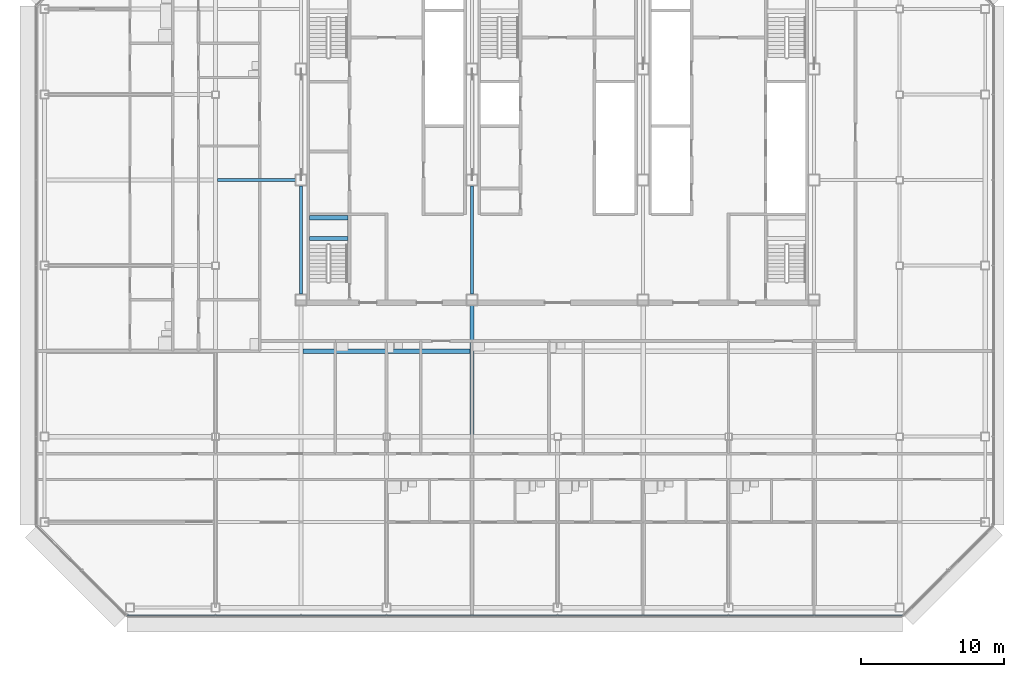
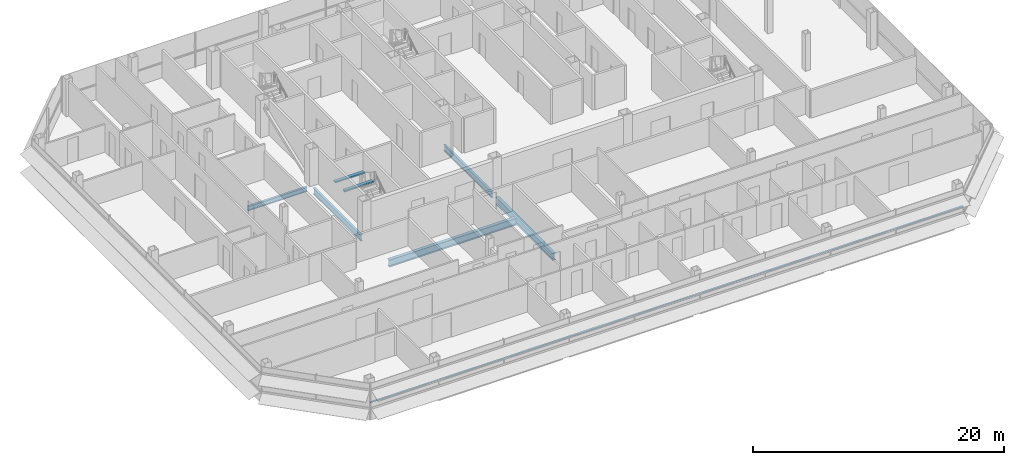
# One storey, part 8 of 28: 7 beams, 1 member, 1 element without a shape of its own.
"""IFC4 building model written with IfcOpenShell, lengths in metres."""

from ifc_helpers import new_model, si_unit, direction, frame, origin, origin_2d, place, context, subcontext, project, spatial, rectangle, i_section, extrude, material, material_profile, profile_set, type_object, element, aggregate, save


model = new_model("IFC4")

# Units and contexts
model_context = context("Model", 3, precision=1e-05, world=origin(), true_north=direction((0.0, 1.0)))
body_context = subcontext(model_context, "Body", "Model", "MODEL_VIEW")
ifc_project = project(units=[si_unit("LENGTHUNIT", "METRE"), si_unit("AREAUNIT", "SQUARE_METRE"), si_unit("VOLUMEUNIT", "CUBIC_METRE"), si_unit("PLANEANGLEUNIT", "RADIAN"), si_unit("MASSUNIT", "GRAM", prefix="KILO")], contexts=[model_context])

# Site, building, storey
site_placement = place(None, origin())
site = spatial("IfcSite", under=ifc_project, at=site_placement, CompositionType="ELEMENT")
building_placement = place(site_placement, origin())
building = spatial("IfcBuilding", under=site, at=building_placement, Name="Sorahane Residences", CompositionType="ELEMENT")
storey_placement = place(building_placement, frame((0.0, 0.0, 254.0)))
storey = spatial("IfcBuildingStorey", under=building, at=storey_placement, Name="L60", CompositionType="ELEMENT", Elevation=254.0)

# Curtain wall, member
ifc_material_1 = material(Name="Dark low-e glass and black anodised aluminium", Category="aluminium")
curtain_wall_type = type_object("IfcCurtainWallType", Name="Curtain wall CW-1 Typical unitised wall", PredefinedType="NOTDEFINED", material=ifc_material_1)
curtain_wall_placement = place(storey_placement, origin())
curtain_wall = element("IfcCurtainWall", 1, at=curtain_wall_placement, inside=storey, type_object=curtain_wall_type, Name="CW-1 curtain wall L60 S1", PredefinedType="NOTDEFINED")
ifc_material_2 = material(Name="Black anodised aluminium", Category="aluminium")
ifc_material_profile_1 = material_profile(ifc_material_2, rectangle(XDim=0.10009765625, YDim=0.06005859375, at=origin_2d()), Name="Curtain wall transom CW-1 black anodised aluminium 60x100")
ifc_profile_set_1 = profile_set([ifc_material_profile_1], Name="Black anodised aluminium")
member_type = type_object("IfcMemberType", Name="Curtain wall transom CW-1 black anodised aluminium 60x100", PredefinedType="USERDEFINED", material=ifc_profile_set_1)
member_placement = place(storey_placement, frame((-6.198486328125, -0.530029296875, 1.5), z_axis=(1.0, 0.0, 0.0), x_axis=(0.0, 1.0, 0.0)))
member = element("IfcMember", 2, at=member_placement, type_object=member_type, Name="CW-1 transom L60 S1", ObjectType="TRANSOM", PredefinedType="USERDEFINED", context=body_context, shape_type="SweptSolid", body=[
    extrude(rectangle(XDim=0.10009765625, YDim=0.06005859375, at=origin_2d()), origin(), (0.0, 0.0, 1.0), 54.39697265625),
])
aggregate(curtain_wall, [member])

# Beams
ifc_material_3 = material(Name="Concrete C40", Category="concrete")
ifc_material_profile_2 = material_profile(ifc_material_3, rectangle(XDim=0.300048828125, YDim=0.139892578125, at=origin_2d()), Name="300x140")
ifc_profile_set_2 = profile_set([ifc_material_profile_2], Name="Concrete C40")
beam_type_1 = type_object("IfcBeamType", Name="RC landing beam 300 x 140 Concrete C40", PredefinedType="BEAM", material=ifc_profile_set_2)
for number, where, z_axis, x_axis, name in (
    (3, (6.60009765625, 25.89990234375, 1.530029296875), (1.0, 0.0, 0.0), (0.0, 1.0, 0.0), "Landing beam"),
    (4, (6.60009765625, 27.35009765625, 1.530029296875), (1.0, 0.0, 0.0), (0.0, 1.0, 0.0), "Landing beam"),
):
    element("IfcBeam", number, at=place(storey_placement, frame(where, z_axis=z_axis, x_axis=x_axis)), inside=storey, type_object=beam_type_1, Name=name, PredefinedType="BEAM", context=body_context, shape_type="SweptSolid", body=[
        extrude(rectangle(XDim=0.300048828125, YDim=0.139892578125, at=origin_2d()), origin(), (0.0, 0.0, 1.0), 2.699951171875),
    ])
ifc_material_4 = material(Name="Steel Q355B", Category="steel")
ifc_material_profile_3 = material_profile(ifc_material_4, i_section(OverallWidth=0.199951171875, OverallDepth=0.449951171875, WebThickness=0.009033203125, FlangeThickness=0.013916015625, FilletRadius=0.02001953125, at=origin_2d()), Name="HN 450x200x9x14")
ifc_profile_set_3 = profile_set([ifc_material_profile_3], Name="Steel Q355B")
beam_type_2 = type_object("IfcBeamType", Name="Steel floor beam HN 450x200x9x14 Q355B", PredefinedType="BEAM", material=ifc_profile_set_3)
beam_1_placement = place(storey_placement, frame((0.14990234375, 30.0, -0.405029296875), z_axis=(1.0, 0.0, 0.0), x_axis=(0.0, 1.0, 0.0)))
element("IfcBeam", 5, at=beam_1_placement, inside=storey, type_object=beam_type_2, Name="Beam L60 086", PredefinedType="BEAM", context=body_context, shape_type="SweptSolid", body=[
    extrude(i_section(OverallWidth=0.199951171875, OverallDepth=0.449951171875, WebThickness=0.009033203125, FlangeThickness=0.013916015625, FilletRadius=0.02001953125, at=origin_2d()), origin(), (0.0, 0.0, 1.0), 5.4501953125),
])
ifc_material_5 = material(Name="Steel Q355B", Category="steel")
ifc_material_profile_4 = material_profile(ifc_material_5, i_section(OverallWidth=0.199951171875, OverallDepth=0.60009765625, WebThickness=0.010986328125, FlangeThickness=0.01708984375, FilletRadius=0.02392578125, at=origin_2d()), Name="HN 600x200x11x17")
ifc_profile_set_4 = profile_set([ifc_material_profile_4], Name="Steel Q355B")
beam_type_3 = type_object("IfcBeamType", Name="Steel floor beam HN 600x200x11x17 Q355B", PredefinedType="BEAM", material=ifc_profile_set_4)
for number, where, z_axis, x_axis, name in (
    (6, (6.0, 22.0, -0.47998046875), (0.0, 1.0, 0.0), (-1.0, 0.0, 0.0), "Beam L60 030"),
    (7, (18.0, 22.0, -0.47998046875), (0.0, 1.0, 0.0), (-1.0, 0.0, 0.0), "Beam L60 038"),
):
    element("IfcBeam", number, at=place(storey_placement, frame(where, z_axis=z_axis, x_axis=x_axis)), inside=storey, type_object=beam_type_3, Name=name, PredefinedType="BEAM", context=body_context, shape_type="SweptSolid", body=[
        extrude(i_section(OverallWidth=0.199951171875, OverallDepth=0.60009765625, WebThickness=0.010986328125, FlangeThickness=0.01708984375, FilletRadius=0.02392578125, at=origin_2d()), origin(), (0.0, 0.0, 1.0), 7.60009765625),
    ])
ifc_material_6 = material(Name="Steel Q355B", Category="steel")
ifc_material_profile_5 = material_profile(ifc_material_6, i_section(OverallWidth=0.300048828125, OverallDepth=0.699951171875, WebThickness=0.012939453125, FlangeThickness=0.02392578125, FilletRadius=0.028076171875, at=origin_2d()), Name="HN 700x300x13x24")
ifc_profile_set_5 = profile_set([ifc_material_profile_5], Name="Steel Q355B")
beam_type_4 = type_object("IfcBeamType", Name="Steel floor beam HN 700x300x13x24 Q355B", PredefinedType="BEAM", material=ifc_profile_set_5)
beam_2_placement = place(storey_placement, frame((18.0, 12.14990234375, -0.530029296875), z_axis=(0.0, 1.0, 0.0), x_axis=(-1.0, 0.0, 0.0)))
element("IfcBeam", 8, at=beam_2_placement, inside=storey, type_object=beam_type_4, Name="Beam L60 037", PredefinedType="BEAM", context=body_context, shape_type="SweptSolid", body=[
    extrude(i_section(OverallWidth=0.300048828125, OverallDepth=0.699951171875, WebThickness=0.012939453125, FlangeThickness=0.02392578125, FilletRadius=0.028076171875, at=origin_2d()), origin(), (0.0, 0.0, 1.0), 9.050048828125),
])
beam_3_placement = place(storey_placement, frame((6.14990234375, 18.0, -0.530029296875), z_axis=(1.0, 0.0, 0.0), x_axis=(0.0, 1.0, 0.0)))
element("IfcBeam", 9, at=beam_3_placement, inside=storey, type_object=beam_type_4, Name="Beam L60 080", PredefinedType="BEAM", context=body_context, shape_type="SweptSolid", body=[
    extrude(i_section(OverallWidth=0.300048828125, OverallDepth=0.699951171875, WebThickness=0.012939453125, FlangeThickness=0.02392578125, FilletRadius=0.028076171875, at=origin_2d()), origin(), (0.0, 0.0, 1.0), 11.7001953125),
])

save(model, "model.ifc")
